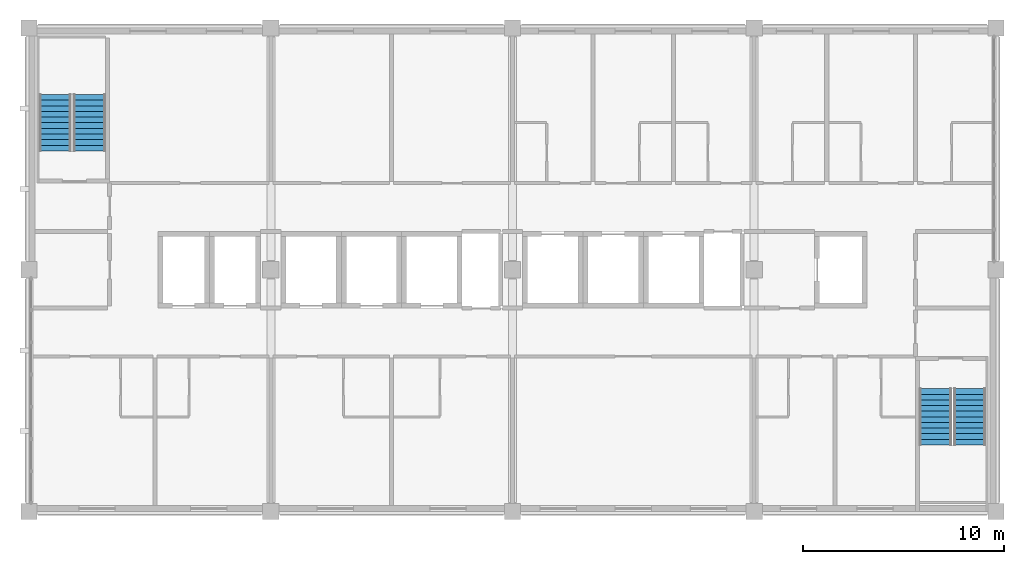
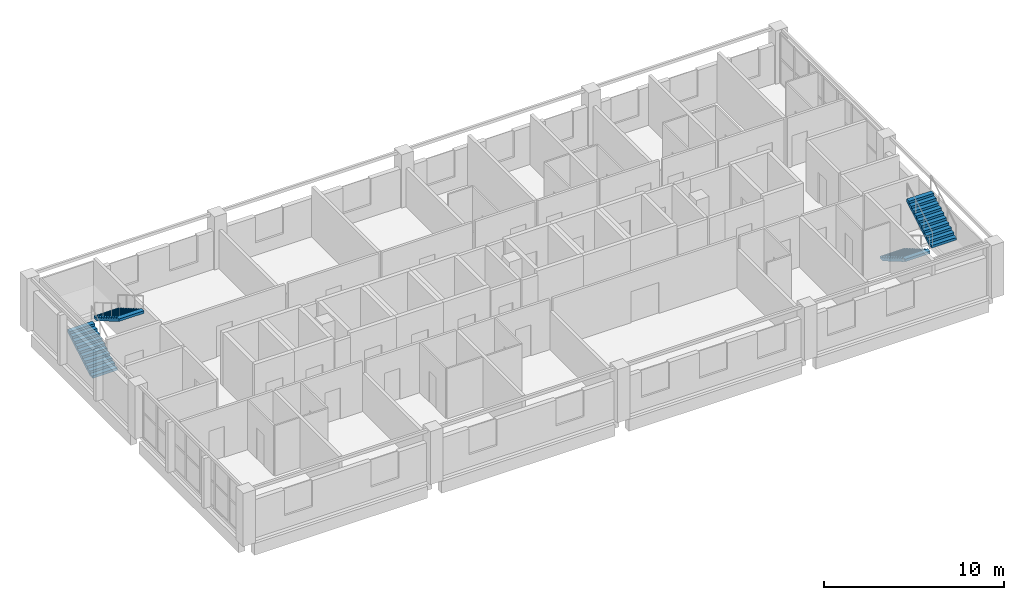
# One storey, part 10 of 11: 4 stair flights, 2 elements without a shape of their own.
"""IFC4 building model written with IfcOpenShell, lengths in metres."""

from ifc_helpers import new_model, si_unit, direction, frame, origin, place, context, subcontext, project, spatial, polyline, outline, extrude, material, type_object, element, aggregate, save


model = new_model("IFC4")

# Units and contexts
model_context = context("Model", 3, precision=1e-05, world=origin(), true_north=direction((0.0, 1.0)))
body_context = subcontext(model_context, "Body", "Model", "MODEL_VIEW")
ifc_project = project(units=[si_unit("LENGTHUNIT", "METRE"), si_unit("AREAUNIT", "SQUARE_METRE"), si_unit("VOLUMEUNIT", "CUBIC_METRE"), si_unit("PLANEANGLEUNIT", "RADIAN"), si_unit("MASSUNIT", "GRAM", prefix="KILO")], contexts=[model_context])

# Site, building, storey
site_placement = place(None, origin())
site = spatial("IfcSite", under=ifc_project, at=site_placement, CompositionType="ELEMENT")
building_placement = place(site_placement, origin())
building = spatial("IfcBuilding", under=site, at=building_placement, Name="Lilac Gate Convention Centre", CompositionType="ELEMENT")
storey_placement = place(building_placement, frame((0.0, 0.0, 35.39990234375)))
storey = spatial("IfcBuildingStorey", under=building, at=storey_placement, Name="L08", CompositionType="ELEMENT", Elevation=35.39990234375)

# Stair, stair flights
ifc_material = material(Name="Concrete C40", Category="concrete")
stair_type = type_object("IfcStairType", Name="Exit stair", PredefinedType="DOUBLE_RETURN_STAIR", material=ifc_material)
stair_1_placement = place(storey_placement, origin())
stair_1 = element("IfcStair", 1, at=stair_1_placement, inside=storey, type_object=stair_type, Name="Exit stair NW L08", PredefinedType="DOUBLE_RETURN_STAIR")
stair_flight_type = type_object("IfcStairFlightType", Name="Exit stair flight", PredefinedType="STRAIGHT", material=ifc_material)
stair_flight_1_placement = place(storey_placement, frame((43.300048828125, 239.89990234375, 0.0), z_axis=(0.0, 0.0, 1.0), x_axis=(0.0, 1.0, 0.0)))
stair_flight_1 = element("IfcStairFlight", 2, at=stair_flight_1_placement, type_object=stair_flight_type, Name="ST-NW flight 1", NumberOfRisers=11, NumberOfTreads=10, PredefinedType="STRAIGHT", RiserHeight=0.163636364, TreadLength=0.28, context=body_context, shape_type="SweptSolid", body=[
    extrude(outline(polyline([(0.0, 0.0), (0.0, 0.16357421875), (0.280029296875, 0.16357421875), (0.280029296875, 0.327392578125), (0.56005859375, 0.327392578125), (0.56005859375, 0.490966796875), (0.840087890625, 0.490966796875), (0.840087890625, 0.654541015625), (1.1201171875, 0.654541015625), (1.1201171875, 0.818115234375), (1.39990234375, 0.818115234375), (1.39990234375, 0.98193359375), (1.679931640625, 0.98193359375), (1.679931640625, 1.1455078125), (1.9599609375, 1.1455078125), (1.9599609375, 1.30908203125), (2.239990234375, 1.30908203125), (2.239990234375, 1.47265625), (2.52001953125, 1.47265625), (2.52001953125, 1.636474609375), (2.800048828125, 1.636474609375), (2.800048828125, 1.800048828125), (2.800048828125, 1.462646484375), (0.297119140625, 0.0), (0.0, 0.0)])), frame((0.0, 0.800048828125, 0.0), z_axis=(0.0, -1.0, 0.0), x_axis=(1.0, 0.0, 0.0)), (0.0, 0.0, 1.0), 1.60009765625),
])
stair_flight_2_placement = place(storey_placement, frame((45.0, 242.699951171875, 1.800048828125), z_axis=(0.0, 0.0, 1.0), x_axis=(0.0, -1.0, 0.0)))
stair_flight_2 = element("IfcStairFlight", 3, at=stair_flight_2_placement, type_object=stair_flight_type, Name="ST-NW flight 2", NumberOfRisers=11, NumberOfTreads=10, PredefinedType="STRAIGHT", RiserHeight=0.163636364, TreadLength=0.28, context=body_context, shape_type="SweptSolid", body=[
    extrude(outline(polyline([(0.0, 0.0), (0.0, 0.16357421875), (0.280029296875, 0.16357421875), (0.280029296875, 0.327392578125), (0.56005859375, 0.327392578125), (0.56005859375, 0.490966796875), (0.840087890625, 0.490966796875), (0.840087890625, 0.654541015625), (1.1201171875, 0.654541015625), (1.1201171875, 0.818115234375), (1.39990234375, 0.818115234375), (1.39990234375, 0.98193359375), (1.679931640625, 0.98193359375), (1.679931640625, 1.1455078125), (1.9599609375, 1.1455078125), (1.9599609375, 1.30908203125), (2.239990234375, 1.30908203125), (2.239990234375, 1.47265625), (2.52001953125, 1.47265625), (2.52001953125, 1.636474609375), (2.800048828125, 1.636474609375), (2.800048828125, 1.800048828125), (2.800048828125, 1.462646484375), (0.297119140625, 0.0), (0.0, 0.0)])), frame((0.0, 0.800048828125, 0.0), z_axis=(0.0, -1.0, 0.0), x_axis=(1.0, 0.0, 0.0)), (0.0, 0.0, 1.0), 1.60009765625),
])
aggregate(stair_1, [stair_flight_1, stair_flight_2])

stair_2_placement = place(storey_placement, origin())
stair_2 = element("IfcStair", 4, at=stair_2_placement, inside=storey, type_object=stair_type, Name="Exit stair SE L08", PredefinedType="DOUBLE_RETURN_STAIR")
stair_flight_3_placement = place(storey_placement, frame((87.0, 228.10009765625, 0.0), z_axis=(0.0, 0.0, 1.0), x_axis=(0.0, -1.0, 0.0)))
stair_flight_3 = element("IfcStairFlight", 5, at=stair_flight_3_placement, type_object=stair_flight_type, Name="ST-SE flight 1", NumberOfRisers=11, NumberOfTreads=10, PredefinedType="STRAIGHT", RiserHeight=0.163636364, TreadLength=0.28, context=body_context, shape_type="SweptSolid", body=[
    extrude(outline(polyline([(0.0, 0.0), (0.0, 0.16357421875), (0.280029296875, 0.16357421875), (0.280029296875, 0.327392578125), (0.56005859375, 0.327392578125), (0.56005859375, 0.490966796875), (0.840087890625, 0.490966796875), (0.840087890625, 0.654541015625), (1.1201171875, 0.654541015625), (1.1201171875, 0.818115234375), (1.39990234375, 0.818115234375), (1.39990234375, 0.98193359375), (1.679931640625, 0.98193359375), (1.679931640625, 1.1455078125), (1.9599609375, 1.1455078125), (1.9599609375, 1.30908203125), (2.239990234375, 1.30908203125), (2.239990234375, 1.47265625), (2.52001953125, 1.47265625), (2.52001953125, 1.636474609375), (2.800048828125, 1.636474609375), (2.800048828125, 1.800048828125), (2.800048828125, 1.462646484375), (0.297119140625, 0.0), (0.0, 0.0)])), frame((0.0, 0.800048828125, 0.0), z_axis=(0.0, -1.0, 0.0), x_axis=(1.0, 0.0, 0.0)), (0.0, 0.0, 1.0), 1.60009765625),
])
stair_flight_4_placement = place(storey_placement, frame((88.699951171875, 225.300048828125, 1.800048828125), z_axis=(0.0, 0.0, 1.0), x_axis=(0.0, 1.0, 0.0)))
stair_flight_4 = element("IfcStairFlight", 6, at=stair_flight_4_placement, type_object=stair_flight_type, Name="ST-SE flight 2", NumberOfRisers=11, NumberOfTreads=10, PredefinedType="STRAIGHT", RiserHeight=0.163636364, TreadLength=0.28, context=body_context, shape_type="SweptSolid", body=[
    extrude(outline(polyline([(0.0, 0.0), (0.0, 0.16357421875), (0.280029296875, 0.16357421875), (0.280029296875, 0.327392578125), (0.56005859375, 0.327392578125), (0.56005859375, 0.490966796875), (0.840087890625, 0.490966796875), (0.840087890625, 0.654541015625), (1.1201171875, 0.654541015625), (1.1201171875, 0.818115234375), (1.39990234375, 0.818115234375), (1.39990234375, 0.98193359375), (1.679931640625, 0.98193359375), (1.679931640625, 1.1455078125), (1.9599609375, 1.1455078125), (1.9599609375, 1.30908203125), (2.239990234375, 1.30908203125), (2.239990234375, 1.47265625), (2.52001953125, 1.47265625), (2.52001953125, 1.636474609375), (2.800048828125, 1.636474609375), (2.800048828125, 1.800048828125), (2.800048828125, 1.462646484375), (0.297119140625, 0.0), (0.0, 0.0)])), frame((0.0, 0.800048828125, 0.0), z_axis=(0.0, -1.0, 0.0), x_axis=(1.0, 0.0, 0.0)), (0.0, 0.0, 1.0), 1.60009765625),
])
aggregate(stair_2, [stair_flight_3, stair_flight_4])

save(model, "model.ifc")
